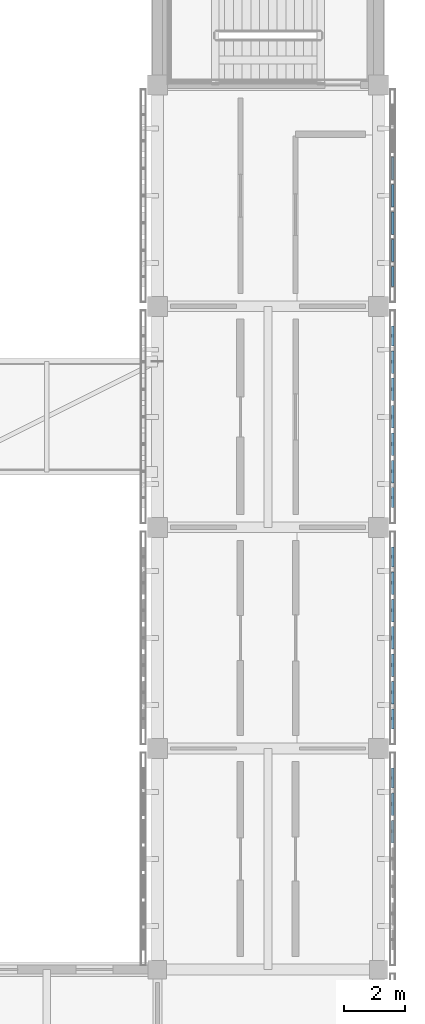
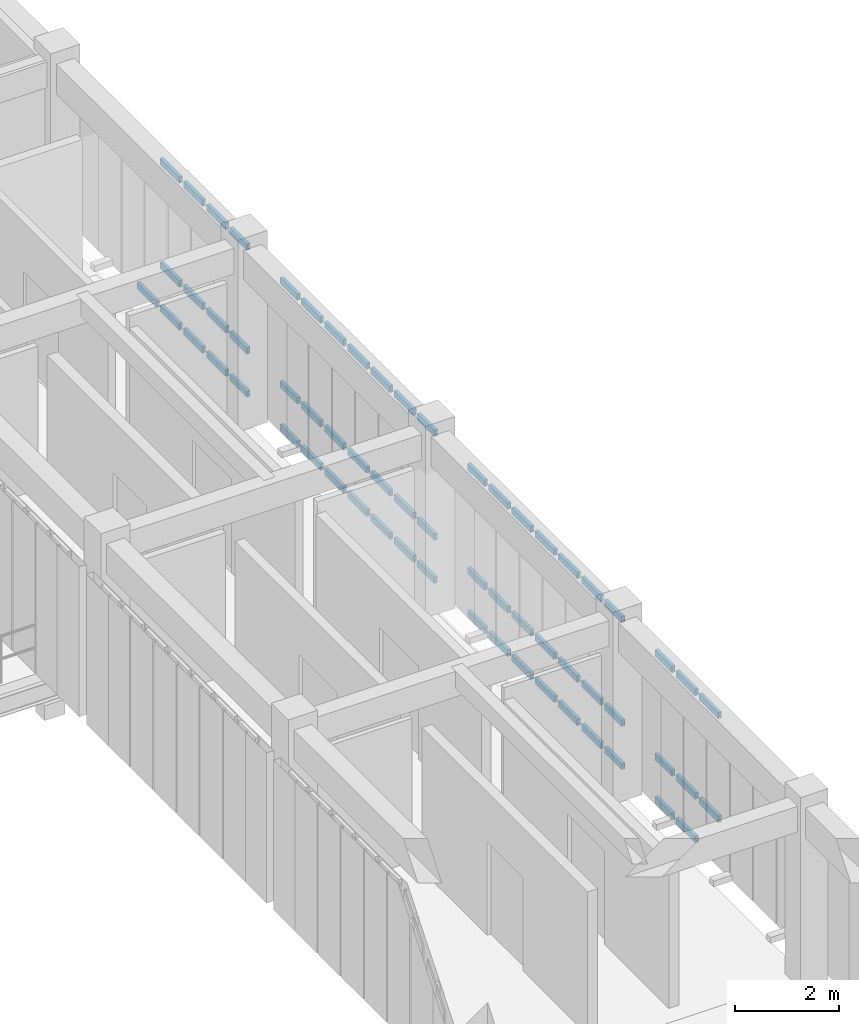
# One storey, part 89 of 171: 63 members, 4 elements without a shape of their own.
"""IFC4 building model written with IfcOpenShell, lengths in metres."""

from ifc_helpers import new_model, si_unit, direction, frame, origin, origin_2d, place, context, subcontext, project, spatial, hollow_rectangle, extrude, material, material_profile, profile_set, type_object, element, aggregate, save


model = new_model("IFC4")

# Units and contexts
model_context = context("Model", 3, precision=1e-05, world=origin(), true_north=direction((0.0, 1.0)))
body_context = subcontext(model_context, "Body", "Model", "MODEL_VIEW")
ifc_project = project(units=[si_unit("LENGTHUNIT", "METRE"), si_unit("AREAUNIT", "SQUARE_METRE"), si_unit("VOLUMEUNIT", "CUBIC_METRE"), si_unit("PLANEANGLEUNIT", "RADIAN"), si_unit("MASSUNIT", "GRAM", prefix="KILO")], contexts=[model_context])

# Site, building, storey
site_placement = place(None, origin())
site = spatial("IfcSite", under=ifc_project, at=site_placement, CompositionType="ELEMENT")
building_placement = place(site_placement, origin())
building = spatial("IfcBuilding", under=site, at=building_placement, Name="Aldebral Square Health Centre", CompositionType="ELEMENT")
storey_placement = place(building_placement, frame((0.0, 0.0, 4.5)))
storey = spatial("IfcBuildingStorey", under=building, at=storey_placement, Name="L01", CompositionType="ELEMENT", Elevation=4.5)

# Curtain wall, members
ifc_material_1 = material(Name="Aluminium and low-E solar glass", Category="aluminium")
curtain_wall_type = type_object("IfcCurtainWallType", Name="CW-FIN-SYS", PredefinedType="USERDEFINED", material=ifc_material_1)
curtain_wall_1_placement = place(storey_placement, origin())
curtain_wall_1 = element("IfcCurtainWall", 1, at=curtain_wall_1_placement, inside=storey, type_object=curtain_wall_type, Name="L01 V5 finned curtain wall L01-V5-22-09-E", ObjectType="SOLAR_CURTAIN_WALL", PredefinedType="USERDEFINED")
ifc_material_2 = material(Name="Anodised aluminium transom", Category="aluminium")
ifc_material_profile = material_profile(ifc_material_2, hollow_rectangle(XDim=0.074951171875, YDim=0.14990234375, WallThickness=0.00390625, at=origin_2d()), Name="CWT 75x150x4")
ifc_profile_set = profile_set([ifc_material_profile], Name="Anodised aluminium transom")
member_type = type_object("IfcMemberType", Name="CWT-STD", PredefinedType="USERDEFINED", material=ifc_profile_set)
member_1_placement = place(storey_placement, frame((166.06005859375, 68.92578125, 1.050048828125), z_axis=(0.0, 1.0, 0.0), x_axis=(-1.0, 0.0, 0.0)))
member_1 = element("IfcMember", 2, at=member_1_placement, type_object=member_type, Name="CW1 transom 5.2", ObjectType="TRANSOM", PredefinedType="USERDEFINED", context=body_context, shape_type="SweptSolid", body=[
    extrude(hollow_rectangle(XDim=0.074951171875, YDim=0.14990234375, WallThickness=0.00390625, at=origin_2d()), origin(), (0.0, 0.0, 1.0), 0.7314453125),
])
member_2_placement = place(storey_placement, frame((166.06005859375, 68.92578125, 3.482421875), z_axis=(0.0, 1.0, 0.0), x_axis=(-1.0, 0.0, 0.0)))
member_2 = element("IfcMember", 3, at=member_2_placement, type_object=member_type, Name="CW1 transom 5.3", ObjectType="TRANSOM", PredefinedType="USERDEFINED", context=body_context, shape_type="SweptSolid", body=[
    extrude(hollow_rectangle(XDim=0.074951171875, YDim=0.14990234375, WallThickness=0.00390625, at=origin_2d()), origin(), (0.0, 0.0, 1.0), 0.7314453125),
])
member_3_placement = place(storey_placement, frame((166.06005859375, 69.817138671875, 0.03759765625), z_axis=(0.0, 1.0, 0.0), x_axis=(-1.0, 0.0, 0.0)))
member_3 = element("IfcMember", 4, at=member_3_placement, type_object=member_type, Name="CW1 transom 6.1", ObjectType="TRANSOM", PredefinedType="USERDEFINED", context=body_context, shape_type="SweptSolid", body=[
    extrude(hollow_rectangle(XDim=0.074951171875, YDim=0.14990234375, WallThickness=0.00390625, at=origin_2d()), origin(), (0.0, 0.0, 1.0), 0.7314453125),
])
member_4_placement = place(storey_placement, frame((166.06005859375, 69.817138671875, 1.050048828125), z_axis=(0.0, 1.0, 0.0), x_axis=(-1.0, 0.0, 0.0)))
member_4 = element("IfcMember", 5, at=member_4_placement, type_object=member_type, Name="CW1 transom 6.2", ObjectType="TRANSOM", PredefinedType="USERDEFINED", context=body_context, shape_type="SweptSolid", body=[
    extrude(hollow_rectangle(XDim=0.074951171875, YDim=0.14990234375, WallThickness=0.00390625, at=origin_2d()), origin(), (0.0, 0.0, 1.0), 0.7314453125),
])
member_5_placement = place(storey_placement, frame((166.06005859375, 69.817138671875, 3.482421875), z_axis=(0.0, 1.0, 0.0), x_axis=(-1.0, 0.0, 0.0)))
member_5 = element("IfcMember", 6, at=member_5_placement, type_object=member_type, Name="CW1 transom 6.3", ObjectType="TRANSOM", PredefinedType="USERDEFINED", context=body_context, shape_type="SweptSolid", body=[
    extrude(hollow_rectangle(XDim=0.074951171875, YDim=0.14990234375, WallThickness=0.00390625, at=origin_2d()), origin(), (0.0, 0.0, 1.0), 0.7314453125),
])
member_6_placement = place(storey_placement, frame((166.06005859375, 70.70849609375, 0.03759765625), z_axis=(0.0, 1.0, 0.0), x_axis=(-1.0, 0.0, 0.0)))
member_6 = element("IfcMember", 7, at=member_6_placement, type_object=member_type, Name="CW1 transom 7.1", ObjectType="TRANSOM", PredefinedType="USERDEFINED", context=body_context, shape_type="SweptSolid", body=[
    extrude(hollow_rectangle(XDim=0.074951171875, YDim=0.14990234375, WallThickness=0.00390625, at=origin_2d()), origin(), (0.0, 0.0, 1.0), 0.651611328125),
])
member_7_placement = place(storey_placement, frame((166.06005859375, 70.70849609375, 1.050048828125), z_axis=(0.0, 1.0, 0.0), x_axis=(-1.0, 0.0, 0.0)))
member_7 = element("IfcMember", 8, at=member_7_placement, type_object=member_type, Name="CW1 transom 7.2", ObjectType="TRANSOM", PredefinedType="USERDEFINED", context=body_context, shape_type="SweptSolid", body=[
    extrude(hollow_rectangle(XDim=0.074951171875, YDim=0.14990234375, WallThickness=0.00390625, at=origin_2d()), origin(), (0.0, 0.0, 1.0), 0.651611328125),
])
member_8_placement = place(storey_placement, frame((166.06005859375, 70.70849609375, 3.482421875), z_axis=(0.0, 1.0, 0.0), x_axis=(-1.0, 0.0, 0.0)))
member_8 = element("IfcMember", 9, at=member_8_placement, type_object=member_type, Name="CW1 transom 7.3", ObjectType="TRANSOM", PredefinedType="USERDEFINED", context=body_context, shape_type="SweptSolid", body=[
    extrude(hollow_rectangle(XDim=0.074951171875, YDim=0.14990234375, WallThickness=0.00390625, at=origin_2d()), origin(), (0.0, 0.0, 1.0), 0.651611328125),
])
aggregate(curtain_wall_1, [member_1, member_2, member_3, member_4, member_5, member_6, member_7, member_8])

curtain_wall_2_placement = place(storey_placement, origin())
curtain_wall_2 = element("IfcCurtainWall", 10, at=curtain_wall_2_placement, inside=storey, type_object=curtain_wall_type, Name="L01 V5 finned curtain wall L01-V5-22-10-E", ObjectType="SOLAR_CURTAIN_WALL", PredefinedType="USERDEFINED")
member_9_placement = place(storey_placement, frame((166.06005859375, 72.639892578125, 0.03759765625), z_axis=(0.0, 1.0, 0.0), x_axis=(-1.0, 0.0, 0.0)))
member_9 = element("IfcMember", 11, at=member_9_placement, type_object=member_type, Name="CW1 transom 1.1", ObjectType="TRANSOM", PredefinedType="USERDEFINED", context=body_context, shape_type="SweptSolid", body=[
    extrude(hollow_rectangle(XDim=0.074951171875, YDim=0.14990234375, WallThickness=0.00390625, at=origin_2d()), origin(), (0.0, 0.0, 1.0), 0.651611328125),
])
member_10_placement = place(storey_placement, frame((166.06005859375, 72.639892578125, 1.050048828125), z_axis=(0.0, 1.0, 0.0), x_axis=(-1.0, 0.0, 0.0)))
member_10 = element("IfcMember", 12, at=member_10_placement, type_object=member_type, Name="CW1 transom 1.2", ObjectType="TRANSOM", PredefinedType="USERDEFINED", context=body_context, shape_type="SweptSolid", body=[
    extrude(hollow_rectangle(XDim=0.074951171875, YDim=0.14990234375, WallThickness=0.00390625, at=origin_2d()), origin(), (0.0, 0.0, 1.0), 0.651611328125),
])
member_11_placement = place(storey_placement, frame((166.06005859375, 72.639892578125, 3.482421875), z_axis=(0.0, 1.0, 0.0), x_axis=(-1.0, 0.0, 0.0)))
member_11 = element("IfcMember", 13, at=member_11_placement, type_object=member_type, Name="CW1 transom 1.3", ObjectType="TRANSOM", PredefinedType="USERDEFINED", context=body_context, shape_type="SweptSolid", body=[
    extrude(hollow_rectangle(XDim=0.074951171875, YDim=0.14990234375, WallThickness=0.00390625, at=origin_2d()), origin(), (0.0, 0.0, 1.0), 0.651611328125),
])
member_12_placement = place(storey_placement, frame((166.06005859375, 73.451416015625, 0.03759765625), z_axis=(0.0, 1.0, 0.0), x_axis=(-1.0, 0.0, 0.0)))
member_12 = element("IfcMember", 14, at=member_12_placement, type_object=member_type, Name="CW1 transom 2.1", ObjectType="TRANSOM", PredefinedType="USERDEFINED", context=body_context, shape_type="SweptSolid", body=[
    extrude(hollow_rectangle(XDim=0.074951171875, YDim=0.14990234375, WallThickness=0.00390625, at=origin_2d()), origin(), (0.0, 0.0, 1.0), 0.7314453125),
])
member_13_placement = place(storey_placement, frame((166.06005859375, 73.451416015625, 1.050048828125), z_axis=(0.0, 1.0, 0.0), x_axis=(-1.0, 0.0, 0.0)))
member_13 = element("IfcMember", 15, at=member_13_placement, type_object=member_type, Name="CW1 transom 2.2", ObjectType="TRANSOM", PredefinedType="USERDEFINED", context=body_context, shape_type="SweptSolid", body=[
    extrude(hollow_rectangle(XDim=0.074951171875, YDim=0.14990234375, WallThickness=0.00390625, at=origin_2d()), origin(), (0.0, 0.0, 1.0), 0.7314453125),
])
member_14_placement = place(storey_placement, frame((166.06005859375, 73.451416015625, 3.482421875), z_axis=(0.0, 1.0, 0.0), x_axis=(-1.0, 0.0, 0.0)))
member_14 = element("IfcMember", 16, at=member_14_placement, type_object=member_type, Name="CW1 transom 2.3", ObjectType="TRANSOM", PredefinedType="USERDEFINED", context=body_context, shape_type="SweptSolid", body=[
    extrude(hollow_rectangle(XDim=0.074951171875, YDim=0.14990234375, WallThickness=0.00390625, at=origin_2d()), origin(), (0.0, 0.0, 1.0), 0.7314453125),
])
member_15_placement = place(storey_placement, frame((166.06005859375, 74.3427734375, 0.03759765625), z_axis=(0.0, 1.0, 0.0), x_axis=(-1.0, 0.0, 0.0)))
member_15 = element("IfcMember", 17, at=member_15_placement, type_object=member_type, Name="CW1 transom 3.1", ObjectType="TRANSOM", PredefinedType="USERDEFINED", context=body_context, shape_type="SweptSolid", body=[
    extrude(hollow_rectangle(XDim=0.074951171875, YDim=0.14990234375, WallThickness=0.00390625, at=origin_2d()), origin(), (0.0, 0.0, 1.0), 0.7314453125),
])
member_16_placement = place(storey_placement, frame((166.06005859375, 74.3427734375, 1.050048828125), z_axis=(0.0, 1.0, 0.0), x_axis=(-1.0, 0.0, 0.0)))
member_16 = element("IfcMember", 18, at=member_16_placement, type_object=member_type, Name="CW1 transom 3.2", ObjectType="TRANSOM", PredefinedType="USERDEFINED", context=body_context, shape_type="SweptSolid", body=[
    extrude(hollow_rectangle(XDim=0.074951171875, YDim=0.14990234375, WallThickness=0.00390625, at=origin_2d()), origin(), (0.0, 0.0, 1.0), 0.7314453125),
])
member_17_placement = place(storey_placement, frame((166.06005859375, 74.3427734375, 3.482421875), z_axis=(0.0, 1.0, 0.0), x_axis=(-1.0, 0.0, 0.0)))
member_17 = element("IfcMember", 19, at=member_17_placement, type_object=member_type, Name="CW1 transom 3.3", ObjectType="TRANSOM", PredefinedType="USERDEFINED", context=body_context, shape_type="SweptSolid", body=[
    extrude(hollow_rectangle(XDim=0.074951171875, YDim=0.14990234375, WallThickness=0.00390625, at=origin_2d()), origin(), (0.0, 0.0, 1.0), 0.7314453125),
])
member_18_placement = place(storey_placement, frame((166.06005859375, 75.234375, 0.03759765625), z_axis=(0.0, 1.0, 0.0), x_axis=(-1.0, 0.0, 0.0)))
member_18 = element("IfcMember", 20, at=member_18_placement, type_object=member_type, Name="CW1 transom 4.1", ObjectType="TRANSOM", PredefinedType="USERDEFINED", context=body_context, shape_type="SweptSolid", body=[
    extrude(hollow_rectangle(XDim=0.074951171875, YDim=0.14990234375, WallThickness=0.00390625, at=origin_2d()), origin(), (0.0, 0.0, 1.0), 0.7314453125),
])
member_19_placement = place(storey_placement, frame((166.06005859375, 75.234375, 1.050048828125), z_axis=(0.0, 1.0, 0.0), x_axis=(-1.0, 0.0, 0.0)))
member_19 = element("IfcMember", 21, at=member_19_placement, type_object=member_type, Name="CW1 transom 4.2", ObjectType="TRANSOM", PredefinedType="USERDEFINED", context=body_context, shape_type="SweptSolid", body=[
    extrude(hollow_rectangle(XDim=0.074951171875, YDim=0.14990234375, WallThickness=0.00390625, at=origin_2d()), origin(), (0.0, 0.0, 1.0), 0.7314453125),
])
member_20_placement = place(storey_placement, frame((166.06005859375, 75.234375, 3.482421875), z_axis=(0.0, 1.0, 0.0), x_axis=(-1.0, 0.0, 0.0)))
member_20 = element("IfcMember", 22, at=member_20_placement, type_object=member_type, Name="CW1 transom 4.3", ObjectType="TRANSOM", PredefinedType="USERDEFINED", context=body_context, shape_type="SweptSolid", body=[
    extrude(hollow_rectangle(XDim=0.074951171875, YDim=0.14990234375, WallThickness=0.00390625, at=origin_2d()), origin(), (0.0, 0.0, 1.0), 0.7314453125),
])
member_21_placement = place(storey_placement, frame((166.06005859375, 76.125732421875, 0.03759765625), z_axis=(0.0, 1.0, 0.0), x_axis=(-1.0, 0.0, 0.0)))
member_21 = element("IfcMember", 23, at=member_21_placement, type_object=member_type, Name="CW1 transom 5.1", ObjectType="TRANSOM", PredefinedType="USERDEFINED", context=body_context, shape_type="SweptSolid", body=[
    extrude(hollow_rectangle(XDim=0.074951171875, YDim=0.14990234375, WallThickness=0.00390625, at=origin_2d()), origin(), (0.0, 0.0, 1.0), 0.7314453125),
])
member_22_placement = place(storey_placement, frame((166.06005859375, 76.125732421875, 1.050048828125), z_axis=(0.0, 1.0, 0.0), x_axis=(-1.0, 0.0, 0.0)))
member_22 = element("IfcMember", 24, at=member_22_placement, type_object=member_type, Name="CW1 transom 5.2", ObjectType="TRANSOM", PredefinedType="USERDEFINED", context=body_context, shape_type="SweptSolid", body=[
    extrude(hollow_rectangle(XDim=0.074951171875, YDim=0.14990234375, WallThickness=0.00390625, at=origin_2d()), origin(), (0.0, 0.0, 1.0), 0.7314453125),
])
member_23_placement = place(storey_placement, frame((166.06005859375, 76.125732421875, 3.482421875), z_axis=(0.0, 1.0, 0.0), x_axis=(-1.0, 0.0, 0.0)))
member_23 = element("IfcMember", 25, at=member_23_placement, type_object=member_type, Name="CW1 transom 5.3", ObjectType="TRANSOM", PredefinedType="USERDEFINED", context=body_context, shape_type="SweptSolid", body=[
    extrude(hollow_rectangle(XDim=0.074951171875, YDim=0.14990234375, WallThickness=0.00390625, at=origin_2d()), origin(), (0.0, 0.0, 1.0), 0.7314453125),
])
member_24_placement = place(storey_placement, frame((166.06005859375, 77.01708984375, 0.03759765625), z_axis=(0.0, 1.0, 0.0), x_axis=(-1.0, 0.0, 0.0)))
member_24 = element("IfcMember", 26, at=member_24_placement, type_object=member_type, Name="CW1 transom 6.1", ObjectType="TRANSOM", PredefinedType="USERDEFINED", context=body_context, shape_type="SweptSolid", body=[
    extrude(hollow_rectangle(XDim=0.074951171875, YDim=0.14990234375, WallThickness=0.00390625, at=origin_2d()), origin(), (0.0, 0.0, 1.0), 0.7314453125),
])
member_25_placement = place(storey_placement, frame((166.06005859375, 77.01708984375, 1.050048828125), z_axis=(0.0, 1.0, 0.0), x_axis=(-1.0, 0.0, 0.0)))
member_25 = element("IfcMember", 27, at=member_25_placement, type_object=member_type, Name="CW1 transom 6.2", ObjectType="TRANSOM", PredefinedType="USERDEFINED", context=body_context, shape_type="SweptSolid", body=[
    extrude(hollow_rectangle(XDim=0.074951171875, YDim=0.14990234375, WallThickness=0.00390625, at=origin_2d()), origin(), (0.0, 0.0, 1.0), 0.7314453125),
])
member_26_placement = place(storey_placement, frame((166.06005859375, 77.01708984375, 3.482421875), z_axis=(0.0, 1.0, 0.0), x_axis=(-1.0, 0.0, 0.0)))
member_26 = element("IfcMember", 28, at=member_26_placement, type_object=member_type, Name="CW1 transom 6.3", ObjectType="TRANSOM", PredefinedType="USERDEFINED", context=body_context, shape_type="SweptSolid", body=[
    extrude(hollow_rectangle(XDim=0.074951171875, YDim=0.14990234375, WallThickness=0.00390625, at=origin_2d()), origin(), (0.0, 0.0, 1.0), 0.7314453125),
])
member_27_placement = place(storey_placement, frame((166.06005859375, 77.90869140625, 0.03759765625), z_axis=(0.0, 1.0, 0.0), x_axis=(-1.0, 0.0, 0.0)))
member_27 = element("IfcMember", 29, at=member_27_placement, type_object=member_type, Name="CW1 transom 7.1", ObjectType="TRANSOM", PredefinedType="USERDEFINED", context=body_context, shape_type="SweptSolid", body=[
    extrude(hollow_rectangle(XDim=0.074951171875, YDim=0.14990234375, WallThickness=0.00390625, at=origin_2d()), origin(), (0.0, 0.0, 1.0), 0.6513671875),
])
member_28_placement = place(storey_placement, frame((166.06005859375, 77.90869140625, 1.050048828125), z_axis=(0.0, 1.0, 0.0), x_axis=(-1.0, 0.0, 0.0)))
member_28 = element("IfcMember", 30, at=member_28_placement, type_object=member_type, Name="CW1 transom 7.2", ObjectType="TRANSOM", PredefinedType="USERDEFINED", context=body_context, shape_type="SweptSolid", body=[
    extrude(hollow_rectangle(XDim=0.074951171875, YDim=0.14990234375, WallThickness=0.00390625, at=origin_2d()), origin(), (0.0, 0.0, 1.0), 0.6513671875),
])
member_29_placement = place(storey_placement, frame((166.06005859375, 77.90869140625, 3.482421875), z_axis=(0.0, 1.0, 0.0), x_axis=(-1.0, 0.0, 0.0)))
member_29 = element("IfcMember", 31, at=member_29_placement, type_object=member_type, Name="CW1 transom 7.3", ObjectType="TRANSOM", PredefinedType="USERDEFINED", context=body_context, shape_type="SweptSolid", body=[
    extrude(hollow_rectangle(XDim=0.074951171875, YDim=0.14990234375, WallThickness=0.00390625, at=origin_2d()), origin(), (0.0, 0.0, 1.0), 0.6513671875),
])
aggregate(curtain_wall_2, [member_9, member_10, member_11, member_12, member_13, member_14, member_15, member_16, member_17, member_18, member_19, member_20, member_21, member_22, member_23, member_24, member_25, member_26, member_27, member_28, member_29])

curtain_wall_3_placement = place(storey_placement, origin())
curtain_wall_3 = element("IfcCurtainWall", 32, at=curtain_wall_3_placement, inside=storey, type_object=curtain_wall_type, Name="L01 V5 finned curtain wall L01-V5-22-11-E", ObjectType="SOLAR_CURTAIN_WALL", PredefinedType="USERDEFINED")
member_30_placement = place(storey_placement, frame((166.06005859375, 79.840087890625, 0.03759765625), z_axis=(0.0, 1.0, 0.0), x_axis=(-1.0, 0.0, 0.0)))
member_30 = element("IfcMember", 33, at=member_30_placement, type_object=member_type, Name="CW1 transom 1.1", ObjectType="TRANSOM", PredefinedType="USERDEFINED", context=body_context, shape_type="SweptSolid", body=[
    extrude(hollow_rectangle(XDim=0.074951171875, YDim=0.14990234375, WallThickness=0.00390625, at=origin_2d()), origin(), (0.0, 0.0, 1.0), 0.6513671875),
])
member_31_placement = place(storey_placement, frame((166.06005859375, 79.840087890625, 1.050048828125), z_axis=(0.0, 1.0, 0.0), x_axis=(-1.0, 0.0, 0.0)))
member_31 = element("IfcMember", 34, at=member_31_placement, type_object=member_type, Name="CW1 transom 1.2", ObjectType="TRANSOM", PredefinedType="USERDEFINED", context=body_context, shape_type="SweptSolid", body=[
    extrude(hollow_rectangle(XDim=0.074951171875, YDim=0.14990234375, WallThickness=0.00390625, at=origin_2d()), origin(), (0.0, 0.0, 1.0), 0.6513671875),
])
member_32_placement = place(storey_placement, frame((166.06005859375, 79.840087890625, 3.482421875), z_axis=(0.0, 1.0, 0.0), x_axis=(-1.0, 0.0, 0.0)))
member_32 = element("IfcMember", 35, at=member_32_placement, type_object=member_type, Name="CW1 transom 1.3", ObjectType="TRANSOM", PredefinedType="USERDEFINED", context=body_context, shape_type="SweptSolid", body=[
    extrude(hollow_rectangle(XDim=0.074951171875, YDim=0.14990234375, WallThickness=0.00390625, at=origin_2d()), origin(), (0.0, 0.0, 1.0), 0.6513671875),
])
member_33_placement = place(storey_placement, frame((166.06005859375, 80.6513671875, 0.03759765625), z_axis=(0.0, 1.0, 0.0), x_axis=(-1.0, 0.0, 0.0)))
member_33 = element("IfcMember", 36, at=member_33_placement, type_object=member_type, Name="CW1 transom 2.1", ObjectType="TRANSOM", PredefinedType="USERDEFINED", context=body_context, shape_type="SweptSolid", body=[
    extrude(hollow_rectangle(XDim=0.074951171875, YDim=0.14990234375, WallThickness=0.00390625, at=origin_2d()), origin(), (0.0, 0.0, 1.0), 0.7314453125),
])
member_34_placement = place(storey_placement, frame((166.06005859375, 80.6513671875, 1.050048828125), z_axis=(0.0, 1.0, 0.0), x_axis=(-1.0, 0.0, 0.0)))
member_34 = element("IfcMember", 37, at=member_34_placement, type_object=member_type, Name="CW1 transom 2.2", ObjectType="TRANSOM", PredefinedType="USERDEFINED", context=body_context, shape_type="SweptSolid", body=[
    extrude(hollow_rectangle(XDim=0.074951171875, YDim=0.14990234375, WallThickness=0.00390625, at=origin_2d()), origin(), (0.0, 0.0, 1.0), 0.7314453125),
])
member_35_placement = place(storey_placement, frame((166.06005859375, 80.6513671875, 3.482421875), z_axis=(0.0, 1.0, 0.0), x_axis=(-1.0, 0.0, 0.0)))
member_35 = element("IfcMember", 38, at=member_35_placement, type_object=member_type, Name="CW1 transom 2.3", ObjectType="TRANSOM", PredefinedType="USERDEFINED", context=body_context, shape_type="SweptSolid", body=[
    extrude(hollow_rectangle(XDim=0.074951171875, YDim=0.14990234375, WallThickness=0.00390625, at=origin_2d()), origin(), (0.0, 0.0, 1.0), 0.7314453125),
])
member_36_placement = place(storey_placement, frame((166.06005859375, 81.54296875, 0.03759765625), z_axis=(0.0, 1.0, 0.0), x_axis=(-1.0, 0.0, 0.0)))
member_36 = element("IfcMember", 39, at=member_36_placement, type_object=member_type, Name="CW1 transom 3.1", ObjectType="TRANSOM", PredefinedType="USERDEFINED", context=body_context, shape_type="SweptSolid", body=[
    extrude(hollow_rectangle(XDim=0.074951171875, YDim=0.14990234375, WallThickness=0.00390625, at=origin_2d()), origin(), (0.0, 0.0, 1.0), 0.731201171875),
])
member_37_placement = place(storey_placement, frame((166.06005859375, 81.54296875, 1.050048828125), z_axis=(0.0, 1.0, 0.0), x_axis=(-1.0, 0.0, 0.0)))
member_37 = element("IfcMember", 40, at=member_37_placement, type_object=member_type, Name="CW1 transom 3.2", ObjectType="TRANSOM", PredefinedType="USERDEFINED", context=body_context, shape_type="SweptSolid", body=[
    extrude(hollow_rectangle(XDim=0.074951171875, YDim=0.14990234375, WallThickness=0.00390625, at=origin_2d()), origin(), (0.0, 0.0, 1.0), 0.731201171875),
])
member_38_placement = place(storey_placement, frame((166.06005859375, 81.54296875, 3.482421875), z_axis=(0.0, 1.0, 0.0), x_axis=(-1.0, 0.0, 0.0)))
member_38 = element("IfcMember", 41, at=member_38_placement, type_object=member_type, Name="CW1 transom 3.3", ObjectType="TRANSOM", PredefinedType="USERDEFINED", context=body_context, shape_type="SweptSolid", body=[
    extrude(hollow_rectangle(XDim=0.074951171875, YDim=0.14990234375, WallThickness=0.00390625, at=origin_2d()), origin(), (0.0, 0.0, 1.0), 0.731201171875),
])
member_39_placement = place(storey_placement, frame((166.06005859375, 82.434326171875, 0.03759765625), z_axis=(0.0, 1.0, 0.0), x_axis=(-1.0, 0.0, 0.0)))
member_39 = element("IfcMember", 42, at=member_39_placement, type_object=member_type, Name="CW1 transom 4.1", ObjectType="TRANSOM", PredefinedType="USERDEFINED", context=body_context, shape_type="SweptSolid", body=[
    extrude(hollow_rectangle(XDim=0.074951171875, YDim=0.14990234375, WallThickness=0.00390625, at=origin_2d()), origin(), (0.0, 0.0, 1.0), 0.7314453125),
])
member_40_placement = place(storey_placement, frame((166.06005859375, 82.434326171875, 1.050048828125), z_axis=(0.0, 1.0, 0.0), x_axis=(-1.0, 0.0, 0.0)))
member_40 = element("IfcMember", 43, at=member_40_placement, type_object=member_type, Name="CW1 transom 4.2", ObjectType="TRANSOM", PredefinedType="USERDEFINED", context=body_context, shape_type="SweptSolid", body=[
    extrude(hollow_rectangle(XDim=0.074951171875, YDim=0.14990234375, WallThickness=0.00390625, at=origin_2d()), origin(), (0.0, 0.0, 1.0), 0.7314453125),
])
member_41_placement = place(storey_placement, frame((166.06005859375, 82.434326171875, 3.482421875), z_axis=(0.0, 1.0, 0.0), x_axis=(-1.0, 0.0, 0.0)))
member_41 = element("IfcMember", 44, at=member_41_placement, type_object=member_type, Name="CW1 transom 4.3", ObjectType="TRANSOM", PredefinedType="USERDEFINED", context=body_context, shape_type="SweptSolid", body=[
    extrude(hollow_rectangle(XDim=0.074951171875, YDim=0.14990234375, WallThickness=0.00390625, at=origin_2d()), origin(), (0.0, 0.0, 1.0), 0.7314453125),
])
member_42_placement = place(storey_placement, frame((166.06005859375, 83.32568359375, 0.03759765625), z_axis=(0.0, 1.0, 0.0), x_axis=(-1.0, 0.0, 0.0)))
member_42 = element("IfcMember", 45, at=member_42_placement, type_object=member_type, Name="CW1 transom 5.1", ObjectType="TRANSOM", PredefinedType="USERDEFINED", context=body_context, shape_type="SweptSolid", body=[
    extrude(hollow_rectangle(XDim=0.074951171875, YDim=0.14990234375, WallThickness=0.00390625, at=origin_2d()), origin(), (0.0, 0.0, 1.0), 0.7314453125),
])
member_43_placement = place(storey_placement, frame((166.06005859375, 83.32568359375, 1.050048828125), z_axis=(0.0, 1.0, 0.0), x_axis=(-1.0, 0.0, 0.0)))
member_43 = element("IfcMember", 46, at=member_43_placement, type_object=member_type, Name="CW1 transom 5.2", ObjectType="TRANSOM", PredefinedType="USERDEFINED", context=body_context, shape_type="SweptSolid", body=[
    extrude(hollow_rectangle(XDim=0.074951171875, YDim=0.14990234375, WallThickness=0.00390625, at=origin_2d()), origin(), (0.0, 0.0, 1.0), 0.7314453125),
])
member_44_placement = place(storey_placement, frame((166.06005859375, 83.32568359375, 3.482421875), z_axis=(0.0, 1.0, 0.0), x_axis=(-1.0, 0.0, 0.0)))
member_44 = element("IfcMember", 47, at=member_44_placement, type_object=member_type, Name="CW1 transom 5.3", ObjectType="TRANSOM", PredefinedType="USERDEFINED", context=body_context, shape_type="SweptSolid", body=[
    extrude(hollow_rectangle(XDim=0.074951171875, YDim=0.14990234375, WallThickness=0.00390625, at=origin_2d()), origin(), (0.0, 0.0, 1.0), 0.7314453125),
])
member_45_placement = place(storey_placement, frame((166.06005859375, 84.217041015625, 0.03759765625), z_axis=(0.0, 1.0, 0.0), x_axis=(-1.0, 0.0, 0.0)))
member_45 = element("IfcMember", 48, at=member_45_placement, type_object=member_type, Name="CW1 transom 6.1", ObjectType="TRANSOM", PredefinedType="USERDEFINED", context=body_context, shape_type="SweptSolid", body=[
    extrude(hollow_rectangle(XDim=0.074951171875, YDim=0.14990234375, WallThickness=0.00390625, at=origin_2d()), origin(), (0.0, 0.0, 1.0), 0.7314453125),
])
member_46_placement = place(storey_placement, frame((166.06005859375, 84.217041015625, 1.050048828125), z_axis=(0.0, 1.0, 0.0), x_axis=(-1.0, 0.0, 0.0)))
member_46 = element("IfcMember", 49, at=member_46_placement, type_object=member_type, Name="CW1 transom 6.2", ObjectType="TRANSOM", PredefinedType="USERDEFINED", context=body_context, shape_type="SweptSolid", body=[
    extrude(hollow_rectangle(XDim=0.074951171875, YDim=0.14990234375, WallThickness=0.00390625, at=origin_2d()), origin(), (0.0, 0.0, 1.0), 0.7314453125),
])
member_47_placement = place(storey_placement, frame((166.06005859375, 84.217041015625, 3.482421875), z_axis=(0.0, 1.0, 0.0), x_axis=(-1.0, 0.0, 0.0)))
member_47 = element("IfcMember", 50, at=member_47_placement, type_object=member_type, Name="CW1 transom 6.3", ObjectType="TRANSOM", PredefinedType="USERDEFINED", context=body_context, shape_type="SweptSolid", body=[
    extrude(hollow_rectangle(XDim=0.074951171875, YDim=0.14990234375, WallThickness=0.00390625, at=origin_2d()), origin(), (0.0, 0.0, 1.0), 0.7314453125),
])
member_48_placement = place(storey_placement, frame((166.06005859375, 85.108642578125, 0.03759765625), z_axis=(0.0, 1.0, 0.0), x_axis=(-1.0, 0.0, 0.0)))
member_48 = element("IfcMember", 51, at=member_48_placement, type_object=member_type, Name="CW1 transom 7.1", ObjectType="TRANSOM", PredefinedType="USERDEFINED", context=body_context, shape_type="SweptSolid", body=[
    extrude(hollow_rectangle(XDim=0.074951171875, YDim=0.14990234375, WallThickness=0.00390625, at=origin_2d()), origin(), (0.0, 0.0, 1.0), 0.6513671875),
])
member_49_placement = place(storey_placement, frame((166.06005859375, 85.108642578125, 1.050048828125), z_axis=(0.0, 1.0, 0.0), x_axis=(-1.0, 0.0, 0.0)))
member_49 = element("IfcMember", 52, at=member_49_placement, type_object=member_type, Name="CW1 transom 7.2", ObjectType="TRANSOM", PredefinedType="USERDEFINED", context=body_context, shape_type="SweptSolid", body=[
    extrude(hollow_rectangle(XDim=0.074951171875, YDim=0.14990234375, WallThickness=0.00390625, at=origin_2d()), origin(), (0.0, 0.0, 1.0), 0.6513671875),
])
member_50_placement = place(storey_placement, frame((166.06005859375, 85.108642578125, 3.482421875), z_axis=(0.0, 1.0, 0.0), x_axis=(-1.0, 0.0, 0.0)))
member_50 = element("IfcMember", 53, at=member_50_placement, type_object=member_type, Name="CW1 transom 7.3", ObjectType="TRANSOM", PredefinedType="USERDEFINED", context=body_context, shape_type="SweptSolid", body=[
    extrude(hollow_rectangle(XDim=0.074951171875, YDim=0.14990234375, WallThickness=0.00390625, at=origin_2d()), origin(), (0.0, 0.0, 1.0), 0.6513671875),
])
aggregate(curtain_wall_3, [member_30, member_31, member_32, member_33, member_34, member_35, member_36, member_37, member_38, member_39, member_40, member_41, member_42, member_43, member_44, member_45, member_46, member_47, member_48, member_49, member_50])

curtain_wall_4_placement = place(storey_placement, origin())
curtain_wall_4 = element("IfcCurtainWall", 54, at=curtain_wall_4_placement, inside=storey, type_object=curtain_wall_type, Name="L01 V5 finned curtain wall L01-V5-22-12-E", ObjectType="SOLAR_CURTAIN_WALL", PredefinedType="USERDEFINED")
member_51_placement = place(storey_placement, frame((166.06005859375, 87.0400390625, 0.03759765625), z_axis=(0.0, 1.0, 0.0), x_axis=(-1.0, 0.0, 0.0)))
member_51 = element("IfcMember", 55, at=member_51_placement, type_object=member_type, Name="CW1 transom 1.1", ObjectType="TRANSOM", PredefinedType="USERDEFINED", context=body_context, shape_type="SweptSolid", body=[
    extrude(hollow_rectangle(XDim=0.074951171875, YDim=0.14990234375, WallThickness=0.00390625, at=origin_2d()), origin(), (0.0, 0.0, 1.0), 0.6513671875),
])
member_52_placement = place(storey_placement, frame((166.06005859375, 87.0400390625, 1.050048828125), z_axis=(0.0, 1.0, 0.0), x_axis=(-1.0, 0.0, 0.0)))
member_52 = element("IfcMember", 56, at=member_52_placement, type_object=member_type, Name="CW1 transom 1.2", ObjectType="TRANSOM", PredefinedType="USERDEFINED", context=body_context, shape_type="SweptSolid", body=[
    extrude(hollow_rectangle(XDim=0.074951171875, YDim=0.14990234375, WallThickness=0.00390625, at=origin_2d()), origin(), (0.0, 0.0, 1.0), 0.6513671875),
])
member_53_placement = place(storey_placement, frame((166.06005859375, 87.0400390625, 3.482421875), z_axis=(0.0, 1.0, 0.0), x_axis=(-1.0, 0.0, 0.0)))
member_53 = element("IfcMember", 57, at=member_53_placement, type_object=member_type, Name="CW1 transom 1.3", ObjectType="TRANSOM", PredefinedType="USERDEFINED", context=body_context, shape_type="SweptSolid", body=[
    extrude(hollow_rectangle(XDim=0.074951171875, YDim=0.14990234375, WallThickness=0.00390625, at=origin_2d()), origin(), (0.0, 0.0, 1.0), 0.6513671875),
])
member_54_placement = place(storey_placement, frame((166.06005859375, 87.851318359375, 0.03759765625), z_axis=(0.0, 1.0, 0.0), x_axis=(-1.0, 0.0, 0.0)))
member_54 = element("IfcMember", 58, at=member_54_placement, type_object=member_type, Name="CW1 transom 2.1", ObjectType="TRANSOM", PredefinedType="USERDEFINED", context=body_context, shape_type="SweptSolid", body=[
    extrude(hollow_rectangle(XDim=0.074951171875, YDim=0.14990234375, WallThickness=0.00390625, at=origin_2d()), origin(), (0.0, 0.0, 1.0), 0.7314453125),
])
member_55_placement = place(storey_placement, frame((166.06005859375, 87.851318359375, 1.050048828125), z_axis=(0.0, 1.0, 0.0), x_axis=(-1.0, 0.0, 0.0)))
member_55 = element("IfcMember", 59, at=member_55_placement, type_object=member_type, Name="CW1 transom 2.2", ObjectType="TRANSOM", PredefinedType="USERDEFINED", context=body_context, shape_type="SweptSolid", body=[
    extrude(hollow_rectangle(XDim=0.074951171875, YDim=0.14990234375, WallThickness=0.00390625, at=origin_2d()), origin(), (0.0, 0.0, 1.0), 0.7314453125),
])
member_56_placement = place(storey_placement, frame((166.06005859375, 87.851318359375, 3.482421875), z_axis=(0.0, 1.0, 0.0), x_axis=(-1.0, 0.0, 0.0)))
member_56 = element("IfcMember", 60, at=member_56_placement, type_object=member_type, Name="CW1 transom 2.3", ObjectType="TRANSOM", PredefinedType="USERDEFINED", context=body_context, shape_type="SweptSolid", body=[
    extrude(hollow_rectangle(XDim=0.074951171875, YDim=0.14990234375, WallThickness=0.00390625, at=origin_2d()), origin(), (0.0, 0.0, 1.0), 0.7314453125),
])
member_57_placement = place(storey_placement, frame((166.06005859375, 88.742919921875, 0.03759765625), z_axis=(0.0, 1.0, 0.0), x_axis=(-1.0, 0.0, 0.0)))
member_57 = element("IfcMember", 61, at=member_57_placement, type_object=member_type, Name="CW1 transom 3.1", ObjectType="TRANSOM", PredefinedType="USERDEFINED", context=body_context, shape_type="SweptSolid", body=[
    extrude(hollow_rectangle(XDim=0.074951171875, YDim=0.14990234375, WallThickness=0.00390625, at=origin_2d()), origin(), (0.0, 0.0, 1.0), 0.7314453125),
])
member_58_placement = place(storey_placement, frame((166.06005859375, 88.742919921875, 1.050048828125), z_axis=(0.0, 1.0, 0.0), x_axis=(-1.0, 0.0, 0.0)))
member_58 = element("IfcMember", 62, at=member_58_placement, type_object=member_type, Name="CW1 transom 3.2", ObjectType="TRANSOM", PredefinedType="USERDEFINED", context=body_context, shape_type="SweptSolid", body=[
    extrude(hollow_rectangle(XDim=0.074951171875, YDim=0.14990234375, WallThickness=0.00390625, at=origin_2d()), origin(), (0.0, 0.0, 1.0), 0.7314453125),
])
member_59_placement = place(storey_placement, frame((166.06005859375, 88.742919921875, 3.482421875), z_axis=(0.0, 1.0, 0.0), x_axis=(-1.0, 0.0, 0.0)))
member_59 = element("IfcMember", 63, at=member_59_placement, type_object=member_type, Name="CW1 transom 3.3", ObjectType="TRANSOM", PredefinedType="USERDEFINED", context=body_context, shape_type="SweptSolid", body=[
    extrude(hollow_rectangle(XDim=0.074951171875, YDim=0.14990234375, WallThickness=0.00390625, at=origin_2d()), origin(), (0.0, 0.0, 1.0), 0.7314453125),
])
member_60_placement = place(storey_placement, frame((166.06005859375, 89.63427734375, 0.03759765625), z_axis=(0.0, 1.0, 0.0), x_axis=(-1.0, 0.0, 0.0)))
member_60 = element("IfcMember", 64, at=member_60_placement, type_object=member_type, Name="CW1 transom 4.1", ObjectType="TRANSOM", PredefinedType="USERDEFINED", context=body_context, shape_type="SweptSolid", body=[
    extrude(hollow_rectangle(XDim=0.074951171875, YDim=0.14990234375, WallThickness=0.00390625, at=origin_2d()), origin(), (0.0, 0.0, 1.0), 0.7314453125),
])
member_61_placement = place(storey_placement, frame((166.06005859375, 89.63427734375, 1.050048828125), z_axis=(0.0, 1.0, 0.0), x_axis=(-1.0, 0.0, 0.0)))
member_61 = element("IfcMember", 65, at=member_61_placement, type_object=member_type, Name="CW1 transom 4.2", ObjectType="TRANSOM", PredefinedType="USERDEFINED", context=body_context, shape_type="SweptSolid", body=[
    extrude(hollow_rectangle(XDim=0.074951171875, YDim=0.14990234375, WallThickness=0.00390625, at=origin_2d()), origin(), (0.0, 0.0, 1.0), 0.7314453125),
])
member_62_placement = place(storey_placement, frame((166.06005859375, 89.63427734375, 3.482421875), z_axis=(0.0, 1.0, 0.0), x_axis=(-1.0, 0.0, 0.0)))
member_62 = element("IfcMember", 66, at=member_62_placement, type_object=member_type, Name="CW1 transom 4.3", ObjectType="TRANSOM", PredefinedType="USERDEFINED", context=body_context, shape_type="SweptSolid", body=[
    extrude(hollow_rectangle(XDim=0.074951171875, YDim=0.14990234375, WallThickness=0.00390625, at=origin_2d()), origin(), (0.0, 0.0, 1.0), 0.7314453125),
])
member_63_placement = place(storey_placement, frame((166.06005859375, 90.525634765625, 0.03759765625), z_axis=(0.0, 1.0, 0.0), x_axis=(-1.0, 0.0, 0.0)))
member_63 = element("IfcMember", 67, at=member_63_placement, type_object=member_type, Name="CW1 transom 5.1", ObjectType="TRANSOM", PredefinedType="USERDEFINED", context=body_context, shape_type="SweptSolid", body=[
    extrude(hollow_rectangle(XDim=0.074951171875, YDim=0.14990234375, WallThickness=0.00390625, at=origin_2d()), origin(), (0.0, 0.0, 1.0), 0.7314453125),
])
aggregate(curtain_wall_4, [member_51, member_52, member_53, member_54, member_55, member_56, member_57, member_58, member_59, member_60, member_61, member_62, member_63])

save(model, "model.ifc")
